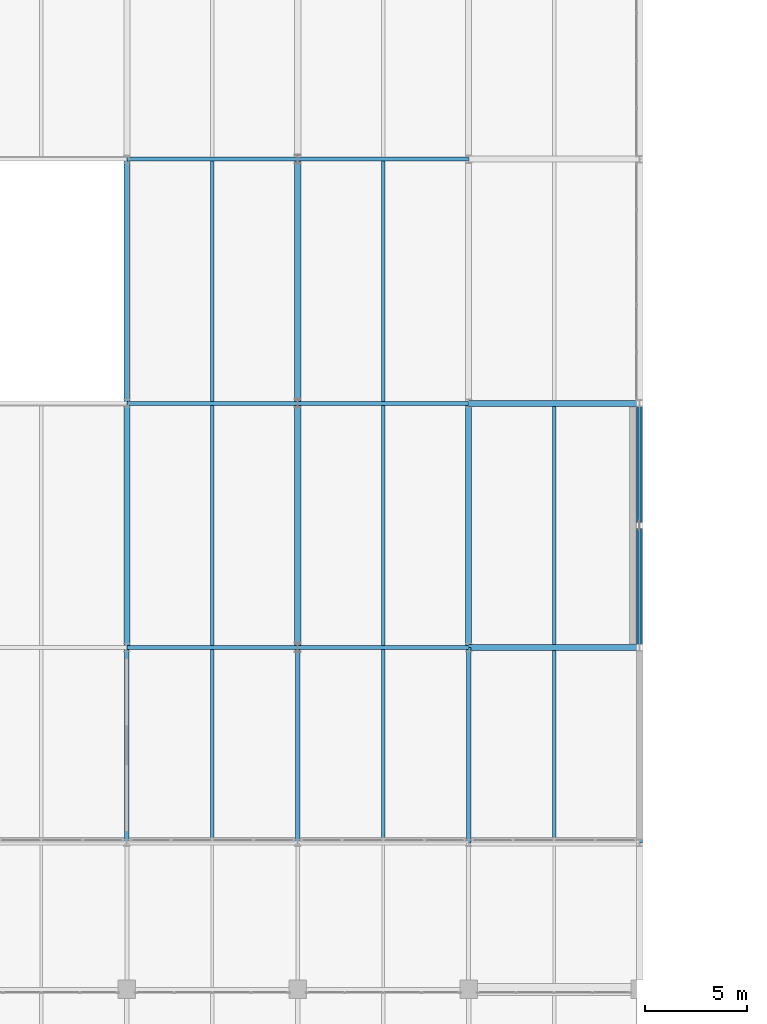
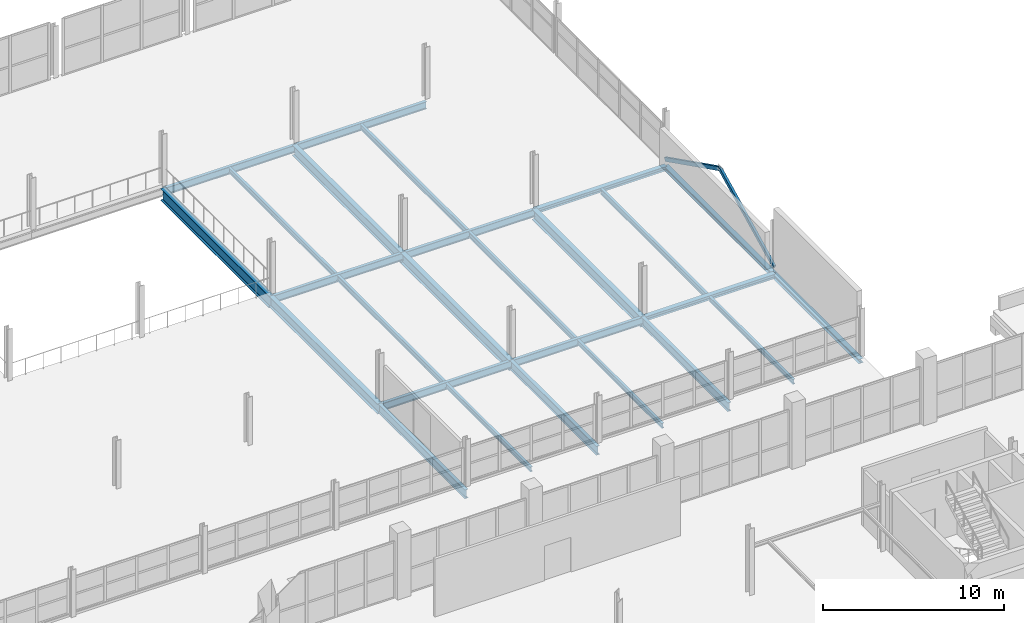
# One storey, part 56 of 103: 26 beams, 2 members.
"""IFC4 building model written with IfcOpenShell, lengths in metres."""

from ifc_helpers import new_model, si_unit, direction, frame, origin, origin_2d, place, context, subcontext, project, spatial, hollow_rectangle, i_section, extrude, material, material_profile, profile_set, type_object, element, save


model = new_model("IFC4")

# Units and contexts
model_context = context("Model", 3, precision=1e-05, world=origin(), true_north=direction((0.0, 1.0)))
body_context = subcontext(model_context, "Body", "Model", "MODEL_VIEW")
ifc_project = project(units=[si_unit("LENGTHUNIT", "METRE"), si_unit("AREAUNIT", "SQUARE_METRE"), si_unit("VOLUMEUNIT", "CUBIC_METRE"), si_unit("PLANEANGLEUNIT", "RADIAN"), si_unit("MASSUNIT", "GRAM", prefix="KILO")], contexts=[model_context])

# Site, building, storey
site_placement = place(None, origin())
site = spatial("IfcSite", under=ifc_project, at=site_placement, CompositionType="ELEMENT")
building_placement = place(site_placement, origin())
building = spatial("IfcBuilding", under=site, at=building_placement, Name="Veltarok Museum of Natural Sciences", CompositionType="ELEMENT")
storey_placement = place(building_placement, frame((0.0, 0.0, 21.89990234375)))
storey = spatial("IfcBuildingStorey", under=building, at=storey_placement, Name="L04", CompositionType="ELEMENT", Elevation=21.89990234375)

# Beams
ifc_material_1 = material(Name="Steel S355J2", Category="steel")
ifc_material_profile_1 = material_profile(ifc_material_1, i_section(OverallWidth=0.300048828125, OverallDepth=0.800048828125, WebThickness=0.017578125, FlangeThickness=0.032958984375, FilletRadius=0.030029296875, at=origin_2d()), Name="HEB 800")
ifc_profile_set_1 = profile_set([ifc_material_profile_1], Name="Steel S355J2")
beam_type_1 = type_object("IfcBeamType", Name="Atrium Edge Transfer Girder HEB 800", PredefinedType="BEAM", material=ifc_profile_set_1)
beam_1_placement = place(storey_placement, frame((73.60009765625, 48.0, -0.64990234375), z_axis=(0.0, 1.0, 0.0), x_axis=(-1.0, 0.0, 0.0)))
element("IfcBeam", 1, at=beam_1_placement, inside=storey, type_object=beam_type_1, Name="Beam BM-G06 L04 9/F-G", PredefinedType="BEAM", context=body_context, shape_type="SweptSolid", body=[
    extrude(i_section(OverallWidth=0.300048828125, OverallDepth=0.800048828125, WebThickness=0.017578125, FlangeThickness=0.032958984375, FilletRadius=0.030029296875, at=origin_2d()), origin(), (0.0, 0.0, 1.0), 12.0),
])
ifc_material_profile_2 = material_profile(ifc_material_1, i_section(OverallWidth=0.300048828125, OverallDepth=0.2900390625, WebThickness=0.008544921875, FlangeThickness=0.013916015625, FilletRadius=0.027099609375, at=origin_2d()), Name="HEA 300")
ifc_profile_set_2 = profile_set([ifc_material_profile_2], Name="Steel S355J2")
beam_type_2 = type_object("IfcBeamType", Name="Glazed Hall Edge Spandrel HEA 300", PredefinedType="SPANDREL", material=ifc_profile_set_2)
for number, where, z_axis, x_axis, name in (
    (2, (90.39990234375, 36.0, -0.39501953125), (1.0, 0.0, 0.0), (0.0, 1.0, 0.0), "Beam BM-SP03 L04 11-12/E"),
    (3, (90.39990234375, 48.0, -0.39501953125), (1.0, 0.0, 0.0), (0.0, 1.0, 0.0), "Beam BM-SP03 L04 11-12/F"),
):
    element("IfcBeam", number, at=place(storey_placement, frame(where, z_axis=z_axis, x_axis=x_axis)), inside=storey, type_object=beam_type_2, Name=name, PredefinedType="SPANDREL", context=body_context, shape_type="SweptSolid", body=[
        extrude(i_section(OverallWidth=0.300048828125, OverallDepth=0.2900390625, WebThickness=0.008544921875, FlangeThickness=0.013916015625, FilletRadius=0.027099609375, at=origin_2d()), origin(), (0.0, 0.0, 1.0), 8.400146484375),
    ])
beam_2_placement = place(storey_placement, frame((98.800048828125, 26.39990234375, -0.39501953125), z_axis=(0.0, 1.0, 0.0), x_axis=(-1.0, 0.0, 0.0)))
element("IfcBeam", 4, at=beam_2_placement, inside=storey, type_object=beam_type_2, Name="Beam BM-SP03 L04 12/D-E", PredefinedType="SPANDREL", context=body_context, shape_type="SweptSolid", body=[
    extrude(i_section(OverallWidth=0.300048828125, OverallDepth=0.2900390625, WebThickness=0.008544921875, FlangeThickness=0.013916015625, FilletRadius=0.027099609375, at=origin_2d()), origin(), (0.0, 0.0, 1.0), 9.60009765625),
])
beam_3_placement = place(storey_placement, frame((98.800048828125, 36.0, -0.39501953125), z_axis=(0.0, 1.0, 0.0), x_axis=(-1.0, 0.0, 0.0)))
element("IfcBeam", 5, at=beam_3_placement, inside=storey, type_object=beam_type_2, Name="Beam BM-SP03 L04 12/E-F", PredefinedType="SPANDREL", context=body_context, shape_type="SweptSolid", body=[
    extrude(i_section(OverallWidth=0.300048828125, OverallDepth=0.2900390625, WebThickness=0.008544921875, FlangeThickness=0.013916015625, FilletRadius=0.027099609375, at=origin_2d()), origin(), (0.0, 0.0, 1.0), 12.0),
])
ifc_material_profile_3 = material_profile(ifc_material_1, i_section(OverallWidth=0.169921875, OverallDepth=0.360107421875, WebThickness=0.008056640625, FlangeThickness=0.0126953125, FilletRadius=0.01806640625, at=origin_2d()), Name="IPE 360")
ifc_profile_set_3 = profile_set([ifc_material_profile_3], Name="Steel S355J2")
beam_type_3 = type_object("IfcBeamType", Name="Long-Bay Composite Joist IPE 360", PredefinedType="JOIST", material=ifc_profile_set_3)
for number, where, z_axis, x_axis, name in (
    (6, (77.800048828125, 36.097900390625, -0.429931640625), (0.0, 1.0, 0.0), (-1.0, 0.0, 0.0), "Secondary Joist BM-J01 L04 9-10/E-F.1"),
    (7, (77.800048828125, 48.097900390625, -0.429931640625), (0.0, 1.0, 0.0), (-1.0, 0.0, 0.0), "Secondary Joist BM-J01 L04 9-10/F-G.1"),
    (8, (86.199951171875, 36.097900390625, -0.429931640625), (0.0, 1.0, 0.0), (-1.0, 0.0, 0.0), "Secondary Joist BM-J01 L04 10-11/E-F.1"),
    (9, (86.199951171875, 48.097900390625, -0.429931640625), (0.0, 1.0, 0.0), (-1.0, 0.0, 0.0), "Secondary Joist BM-J01 L04 10-11/F-G.1"),
):
    element("IfcBeam", number, at=place(storey_placement, frame(where, z_axis=z_axis, x_axis=x_axis)), inside=storey, type_object=beam_type_3, Name=name, PredefinedType="JOIST", context=body_context, shape_type="SweptSolid", body=[
        extrude(i_section(OverallWidth=0.169921875, OverallDepth=0.360107421875, WebThickness=0.008056640625, FlangeThickness=0.0126953125, FilletRadius=0.01806640625, at=origin_2d()), origin(), (0.0, 0.0, 1.0), 11.80419921875),
    ])
beam_4_placement = place(storey_placement, frame((94.60009765625, 36.14794921875, -0.429931640625), z_axis=(0.0, 1.0, 0.0), x_axis=(-1.0, 0.0, 0.0)))
element("IfcBeam", 10, at=beam_4_placement, inside=storey, type_object=beam_type_3, Name="Secondary Joist BM-J01 L04 11-12/E-F.1", PredefinedType="JOIST", context=body_context, shape_type="SweptSolid", body=[
    extrude(i_section(OverallWidth=0.169921875, OverallDepth=0.360107421875, WebThickness=0.008056640625, FlangeThickness=0.0126953125, FilletRadius=0.01806640625, at=origin_2d()), origin(), (0.0, 0.0, 1.0), 11.7041015625),
])
ifc_material_profile_4 = material_profile(ifc_material_1, i_section(OverallWidth=0.300048828125, OverallDepth=0.699951171875, WebThickness=0.01708984375, FlangeThickness=0.031982421875, FilletRadius=0.027099609375, at=origin_2d()), Name="HEB 700")
ifc_profile_set_4 = profile_set([ifc_material_profile_4], Name="Steel S355J2")
beam_type_4 = type_object("IfcBeamType", Name="Long-Span Hall Girder HEB 700", PredefinedType="BEAM", material=ifc_profile_set_4)
for number, where, z_axis, x_axis, name in (
    (11, (73.60009765625, 36.0, -0.599853515625), (0.0, 1.0, 0.0), (-1.0, 0.0, 0.0), "Beam BM-G01 L04 9/E-F"),
    (12, (82.0, 36.0, -0.599853515625), (0.0, 1.0, 0.0), (-1.0, 0.0, 0.0), "Beam BM-G01 L04 10/E-F"),
    (13, (82.0, 48.0, -0.599853515625), (0.0, 1.0, 0.0), (-1.0, 0.0, 0.0), "Beam BM-G01 L04 10/F-G"),
    (14, (90.39990234375, 36.0, -0.599853515625), (0.0, 1.0, 0.0), (-1.0, 0.0, 0.0), "Beam BM-G01 L04 11/E-F"),
):
    element("IfcBeam", number, at=place(storey_placement, frame(where, z_axis=z_axis, x_axis=x_axis)), inside=storey, type_object=beam_type_4, Name=name, PredefinedType="BEAM", context=body_context, shape_type="SweptSolid", body=[
        extrude(i_section(OverallWidth=0.300048828125, OverallDepth=0.699951171875, WebThickness=0.01708984375, FlangeThickness=0.031982421875, FilletRadius=0.027099609375, at=origin_2d()), origin(), (0.0, 0.0, 1.0), 12.0),
    ])
ifc_material_profile_5 = material_profile(ifc_material_1, i_section(OverallWidth=0.159912109375, OverallDepth=0.330078125, WebThickness=0.007568359375, FlangeThickness=0.011474609375, FilletRadius=0.01806640625, at=origin_2d()), Name="IPE 330")
ifc_profile_set_5 = profile_set([ifc_material_profile_5], Name="Steel S355J2")
beam_type_5 = type_object("IfcBeamType", Name="Medium-Bay Composite Joist IPE 330", PredefinedType="JOIST", material=ifc_profile_set_5)
for number, where, z_axis, x_axis, name in (
    (15, (77.800048828125, 26.498046875, -0.414794921875), (0.0, 1.0, 0.0), (-1.0, 0.0, 0.0), "Secondary Joist BM-J02 L04 9-10/D-E.1"),
    (16, (86.199951171875, 26.498046875, -0.414794921875), (0.0, 1.0, 0.0), (-1.0, 0.0, 0.0), "Secondary Joist BM-J02 L04 10-11/D-E.1"),
):
    element("IfcBeam", number, at=place(storey_placement, frame(where, z_axis=z_axis, x_axis=x_axis)), inside=storey, type_object=beam_type_5, Name=name, PredefinedType="JOIST", context=body_context, shape_type="SweptSolid", body=[
        extrude(i_section(OverallWidth=0.159912109375, OverallDepth=0.330078125, WebThickness=0.007568359375, FlangeThickness=0.011474609375, FilletRadius=0.01806640625, at=origin_2d()), origin(), (0.0, 0.0, 1.0), 9.404052734375),
    ])
beam_5_placement = place(storey_placement, frame((94.60009765625, 26.548095703125, -0.414794921875), z_axis=(0.0, 1.0, 0.0), x_axis=(-1.0, 0.0, 0.0)))
element("IfcBeam", 17, at=beam_5_placement, inside=storey, type_object=beam_type_5, Name="Secondary Joist BM-J02 L04 11-12/D-E.1", PredefinedType="JOIST", context=body_context, shape_type="SweptSolid", body=[
    extrude(i_section(OverallWidth=0.159912109375, OverallDepth=0.330078125, WebThickness=0.007568359375, FlangeThickness=0.011474609375, FilletRadius=0.01806640625, at=origin_2d()), origin(), (0.0, 0.0, 1.0), 9.303955078125),
])

# Members
ifc_material_2 = material(Name="Oxide-red painted Steel S355J2", Category="steel")
ifc_material_profile_6 = material_profile(ifc_material_2, hollow_rectangle(XDim=0.14990234375, YDim=0.25, WallThickness=0.010009765625, at=origin_2d()), Name="RHS 250x150x10")
ifc_profile_set_6 = profile_set([ifc_material_profile_6], Name="Oxide-red painted Steel S355J2")
member_type = type_object("IfcMemberType", Name="Perimeter Frame Lateral Brace RHS 250x150x10", PredefinedType="BRACE", material=ifc_profile_set_6)
for number, where, z_axis, x_axis, name in (
    (18, (98.800048828125, 36.0, 0.150146484375), (0.0, 0.894427191, 0.4472135955), (-1.0, 0.0, 0.0), "Chevron Lateral Brace L04 12/E-F"),
    (19, (98.800048828125, 48.0, 0.150146484375), (0.0, -0.894427191, 0.4472135955), (1.0, 0.0, 0.0), "Chevron Lateral Brace L04 12/E-F"),
):
    element("IfcMember", number, at=place(storey_placement, frame(where, z_axis=z_axis, x_axis=x_axis)), inside=storey, type_object=member_type, Name=name, PredefinedType="BRACE", context=body_context, shape_type="SweptSolid", body=[
        extrude(hollow_rectangle(XDim=0.14990234375, YDim=0.25, WallThickness=0.010009765625, at=origin_2d()), origin(), (0.0, 0.0, 1.0), 6.708251953125),
    ])

# Beams
ifc_material_profile_7 = material_profile(ifc_material_1, i_section(OverallWidth=0.219970703125, OverallDepth=0.60009765625, WebThickness=0.011962890625, FlangeThickness=0.01904296875, FilletRadius=0.02392578125, at=origin_2d()), Name="IPE 600")
ifc_profile_set_7 = profile_set([ifc_material_profile_7], Name="Steel S355J2")
beam_type_6 = type_object("IfcBeamType", Name="Primary Museum Girder IPE 600", PredefinedType="BEAM", material=ifc_profile_set_7)
for number, where, z_axis, x_axis, name in (
    (20, (73.60009765625, 26.39990234375, -0.5498046875), (0.0, 1.0, 0.0), (-1.0, 0.0, 0.0), "Beam BM-G02 L04 9/D-E"),
    (21, (82.0, 26.39990234375, -0.5498046875), (0.0, 1.0, 0.0), (-1.0, 0.0, 0.0), "Beam BM-G02 L04 10/D-E"),
    (22, (90.39990234375, 26.39990234375, -0.5498046875), (0.0, 1.0, 0.0), (-1.0, 0.0, 0.0), "Beam BM-G02 L04 11/D-E"),
):
    element("IfcBeam", number, at=place(storey_placement, frame(where, z_axis=z_axis, x_axis=x_axis)), inside=storey, type_object=beam_type_6, Name=name, PredefinedType="BEAM", context=body_context, shape_type="SweptSolid", body=[
        extrude(i_section(OverallWidth=0.219970703125, OverallDepth=0.60009765625, WebThickness=0.011962890625, FlangeThickness=0.01904296875, FilletRadius=0.02392578125, at=origin_2d()), origin(), (0.0, 0.0, 1.0), 9.60009765625),
    ])
ifc_material_profile_8 = material_profile(ifc_material_1, i_section(OverallWidth=0.199951171875, OverallDepth=0.5, WebThickness=0.01025390625, FlangeThickness=0.01611328125, FilletRadius=0.02099609375, at=origin_2d()), Name="IPE 500")
ifc_profile_set_8 = profile_set([ifc_material_profile_8], Name="Steel S355J2")
beam_type_7 = type_object("IfcBeamType", Name="Standard Gallery Girder IPE 500", PredefinedType="BEAM", material=ifc_profile_set_8)
for number, where, z_axis, x_axis, name in (
    (23, (73.60009765625, 36.0, -0.5), (1.0, 0.0, 0.0), (0.0, 1.0, 0.0), "Beam BM-G04 L04 9-10/E"),
    (24, (82.0, 36.0, -0.5), (1.0, 0.0, 0.0), (0.0, 1.0, 0.0), "Beam BM-G04 L04 10-11/E"),
    (25, (73.60009765625, 48.0, -0.5), (1.0, 0.0, 0.0), (0.0, 1.0, 0.0), "Beam BM-G04 L04 9-10/F"),
    (26, (82.0, 48.0, -0.5), (1.0, 0.0, 0.0), (0.0, 1.0, 0.0), "Beam BM-G04 L04 10-11/F"),
    (27, (73.60009765625, 60.0, -0.5), (1.0, 0.0, 0.0), (0.0, 1.0, 0.0), "Beam BM-G04 L04 9-10/G"),
    (28, (82.0, 60.0, -0.5), (1.0, 0.0, 0.0), (0.0, 1.0, 0.0), "Beam BM-G04 L04 10-11/G"),
):
    element("IfcBeam", number, at=place(storey_placement, frame(where, z_axis=z_axis, x_axis=x_axis)), inside=storey, type_object=beam_type_7, Name=name, PredefinedType="BEAM", context=body_context, shape_type="SweptSolid", body=[
        extrude(i_section(OverallWidth=0.199951171875, OverallDepth=0.5, WebThickness=0.01025390625, FlangeThickness=0.01611328125, FilletRadius=0.02099609375, at=origin_2d()), origin(), (0.0, 0.0, 1.0), 8.39990234375),
    ])

save(model, "model.ifc")
